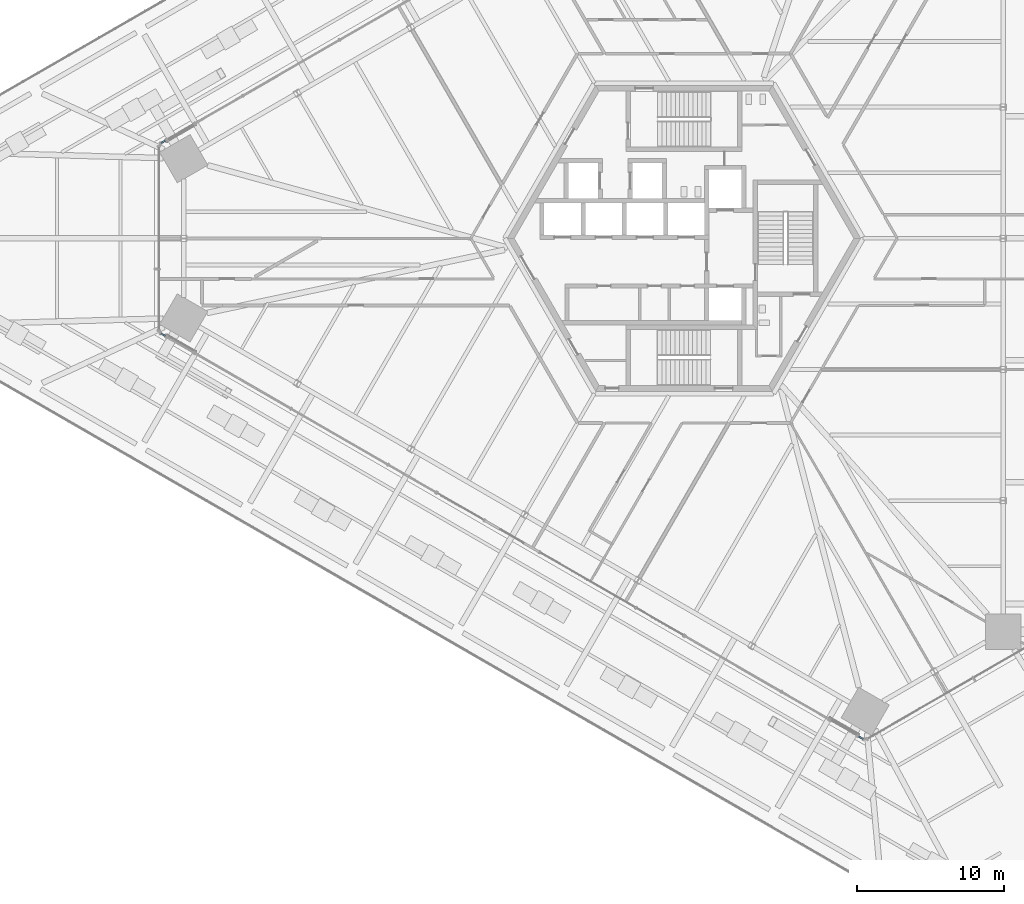
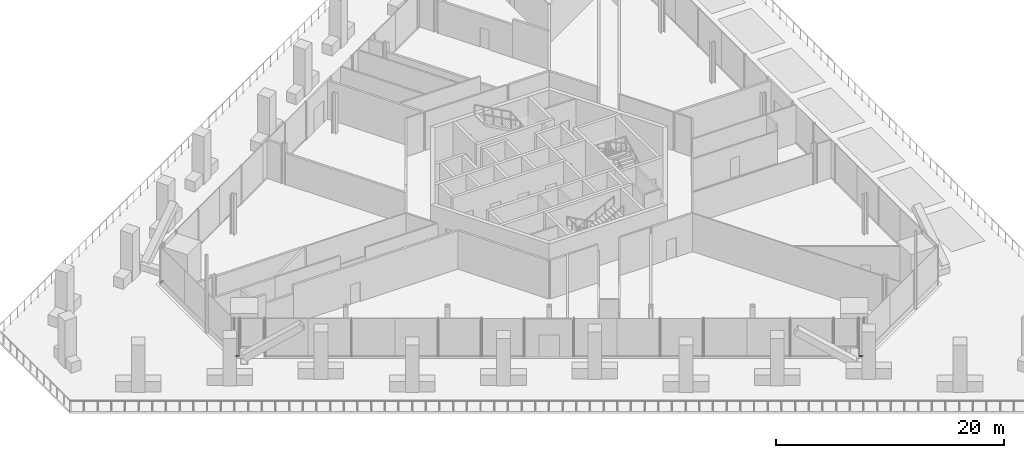
# One storey, part 17 of 38: 3 members, 3 elements without a shape of their own.
"""IFC4 building model written with IfcOpenShell, lengths in metres."""

from ifc_helpers import new_model, si_unit, direction, frame, origin, origin_2d, place, context, subcontext, project, spatial, rectangle, extrude, source, transform, mapped, material, material_profile, profile_set, type_object, element, aggregate, save


model = new_model("IFC4")

# Units and contexts
model_context = context("Model", 3, precision=1e-05, world=origin(), true_north=direction((0.0, 1.0)))
body_context = subcontext(model_context, "Body", "Model", "MODEL_VIEW")
ifc_project = project(units=[si_unit("LENGTHUNIT", "METRE"), si_unit("AREAUNIT", "SQUARE_METRE"), si_unit("VOLUMEUNIT", "CUBIC_METRE"), si_unit("PLANEANGLEUNIT", "RADIAN"), si_unit("MASSUNIT", "GRAM", prefix="KILO")], contexts=[model_context])

# Site, building, storey
site_placement = place(None, origin())
site = spatial("IfcSite", under=ifc_project, at=site_placement, CompositionType="ELEMENT")
building_placement = place(site_placement, origin())
building = spatial("IfcBuilding", under=site, at=building_placement, Name="Triune Harvest Tower", CompositionType="ELEMENT")
storey_placement = place(building_placement, frame((0.0, 0.0, 16.0)))
storey = spatial("IfcBuildingStorey", under=building, at=storey_placement, Name="L03", CompositionType="ELEMENT", Elevation=16.0)

# Curtain wall, member
ifc_material_1 = material(Name="Aluminium bronze anodised", Category="aluminium")
curtain_wall_type = type_object("IfcCurtainWallType", Name="CW-6 Balcony window wall", PredefinedType="NOTDEFINED", material=ifc_material_1)
curtain_wall_1_placement = place(storey_placement, origin())
curtain_wall_1 = element("IfcCurtainWall", 1, at=curtain_wall_1_placement, inside=storey, type_object=curtain_wall_type, Name="CW-6 B1-F3 L03 run 202")
ifc_material_2 = material(Name="Aluminium bronze anodised", Category="aluminium")
ifc_material_profile = material_profile(ifc_material_2, rectangle(XDim=0.090087890625, YDim=0.14990234375, at=origin_2d()), Name="TR-6 transom 90 x 150")
ifc_profile_set = profile_set([ifc_material_profile], Name="Aluminium bronze anodised")
member_type = type_object("IfcMemberType", Name="TR-6 transom 90 x 150", PredefinedType="USERDEFINED", material=ifc_profile_set)
shared_shape = source(origin(), body_context, "Body", "SweptSolid", [
    extrude(rectangle(XDim=0.090087890625, YDim=0.14990234375, at=origin_2d()), origin(), (0.0, 0.0, 1.0), 0.351806640625),
])
member_1_placement = place(storey_placement, frame((-35.23291015625, 6.645263671875, 0.074951171875), z_axis=(-0.865885108766, -0.500242919407, 0.0), x_axis=(0.500242919407, -0.865885108766, 0.0)))
member_1 = element("IfcMember", 2, at=member_1_placement, type_object=member_type, Name="CW-6 transom B1-F3 202.1", ObjectType="TRANSOM", PredefinedType="USERDEFINED", context=body_context, shape_type="MappedRepresentation", body=[
    mapped(shared_shape, transform((0.0, 0.0, 0.0), scale=1.0)),
])
aggregate(curtain_wall_1, [member_1])

curtain_wall_2_placement = place(storey_placement, origin())
curtain_wall_2 = element("IfcCurtainWall", 3, at=curtain_wall_2_placement, inside=storey, type_object=curtain_wall_type, Name="CW-6 B1-F5 L03 run 1")
member_2_placement = place(storey_placement, frame((-35.53759765625, -6.46923828125, 0.074951171875), z_axis=(0.865885108766, -0.500242919407, 0.0), x_axis=(0.500242919407, 0.865885108766, 0.0)))
member_2 = element("IfcMember", 4, at=member_2_placement, type_object=member_type, Name="CW-6 transom B1-F5 1.1", ObjectType="TRANSOM", PredefinedType="USERDEFINED", context=body_context, shape_type="MappedRepresentation", body=[
    mapped(shared_shape, transform((0.0, 0.0, 0.0), scale=1.0)),
])
aggregate(curtain_wall_2, [member_2])

curtain_wall_3_placement = place(storey_placement, origin())
curtain_wall_3 = element("IfcCurtainWall", 5, at=curtain_wall_3_placement, inside=storey, type_object=curtain_wall_type, Name="CW-6 B1-F5 L03 run 202")
member_3_placement = place(storey_placement, frame((11.861572265625, -33.835205078125, 0.074951171875), z_axis=(0.866185586049, -0.49972245349, 0.0), x_axis=(0.49972245349, 0.866185586049, 0.0)))
member_3 = element("IfcMember", 6, at=member_3_placement, type_object=member_type, Name="CW-6 transom B1-F5 202.1", ObjectType="TRANSOM", PredefinedType="USERDEFINED", context=body_context, shape_type="MappedRepresentation", body=[
    mapped(shared_shape, transform((0.0, 0.0, 0.0), scale=1.0)),
])
aggregate(curtain_wall_3, [member_3])

save(model, "model.ifc")
